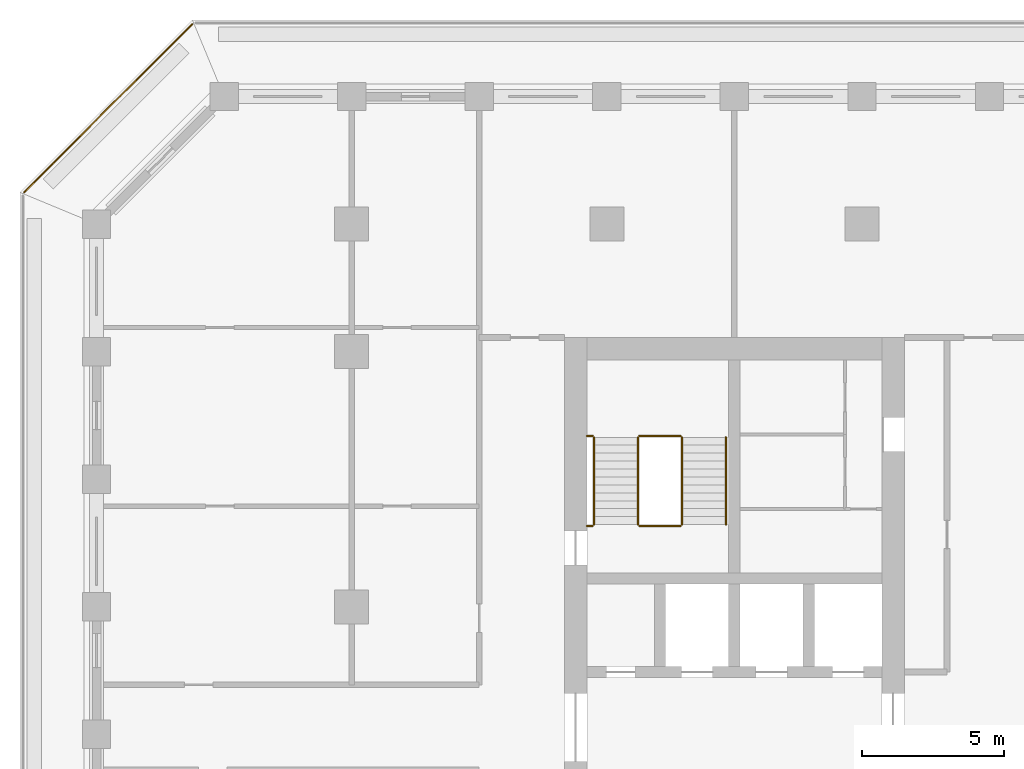
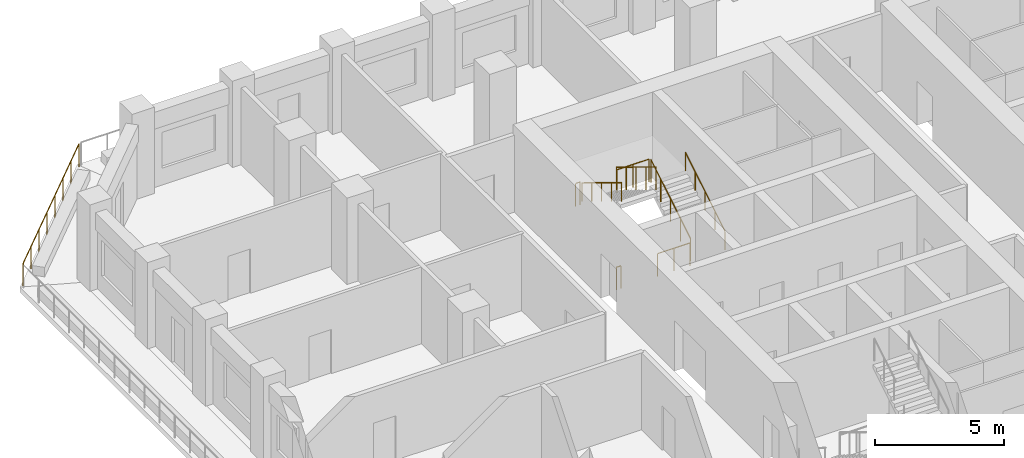
# One storey, part 13 of 16: 9 railings.
"""IFC4 building model written with IfcOpenShell, lengths in metres."""

import ifcopenshell
import ifcopenshell.guid

model = None  # the IFC model being written
_history = None  # IfcOwnerHistory: only IFC2X3 demands one
_inside = {}  # id of a spatial element -> (the spatial element, [elements in it])
_under = {}  # id of a project, library or spatial element -> (it, [spatial elements below it])
_declared = {}  # id of a project -> (the project, [libraries it declares])
_typed = {}  # id of a type object -> (the type object, [elements of that type])
_made_of = {}  # id of a material, layer set ... -> (it, [elements and type objects made of it])


def new_model(schema):
    """Start an empty IFC model of exactly this schema.

    Asked for "IFC4X3", IfcOpenShell would pick the latest addendum, in which some entities
    have other attributes; the version numbers below select the first issue.
    IFC2X3 requires an IfcOwnerHistory on every rooted entity: one is made here for all.
    """
    global model, _history
    if schema == "IFC4X3":
        model = ifcopenshell.file(schema_version=(4, 3, 0, 0))
    else:
        model = ifcopenshell.file(schema=schema)
    _inside.clear()
    _under.clear()
    _declared.clear()
    _typed.clear()
    _made_of.clear()
    _history = None
    if model.schema == "IFC2X3":
        org = make("IfcOrganization", Name="unknown")
        user = make(
            "IfcPersonAndOrganization",
            ThePerson=make("IfcPerson", FamilyName="unknown"),
            TheOrganization=org,
        )
        app = make(
            "IfcApplication",
            ApplicationDeveloper=org,
            Version="unknown",
            ApplicationFullName="unknown",
            ApplicationIdentifier="unknown",
        )
        _history = make(
            "IfcOwnerHistory",
            OwningUser=user,
            OwningApplication=app,
            ChangeAction="ADDED",
            CreationDate=0,
        )
    return model


def make(cls, **values):
    """One entity of the class cls with the attributes given. An attribute that is None is left unset."""
    return model.create_entity(
        cls, **{name: value for name, value in values.items() if value is not None}
    )


def rooted(cls, **values):
    """An entity with a GlobalId (a new one), such as an element, a storey or a relation."""
    return make(cls, GlobalId=ifcopenshell.guid.new(), OwnerHistory=_history, **values)


def si_unit(unit_type, name, prefix=None):
    """IfcSIUnit, for example si_unit("LENGTHUNIT", "METRE", prefix="MILLI")."""
    return make("IfcSIUnit", UnitType=unit_type, Prefix=prefix, Name=name)


def assignment(units):
    """IfcUnitAssignment: the units of a project."""
    return None if units is None else make("IfcUnitAssignment", Units=units)


def point(xyz):
    """IfcCartesianPoint."""
    return None if xyz is None else make("IfcCartesianPoint", Coordinates=xyz)


def direction(xyz):
    """IfcDirection."""
    return None if xyz is None else make("IfcDirection", DirectionRatios=xyz)


def frame(location, z_axis=None, x_axis=None):
    """IfcAxis2Placement3D, a coordinate frame: its origin and axes. An axis left out is left unset."""
    return make(
        "IfcAxis2Placement3D",
        Location=point(location),
        Axis=direction(z_axis),
        RefDirection=direction(x_axis),
    )


def frame_2d(location, x_axis=None):
    """IfcAxis2Placement2D, a coordinate frame in the plane: its origin and x axis."""
    return make(
        "IfcAxis2Placement2D", Location=point(location), RefDirection=direction(x_axis)
    )


def origin():
    """The frame at (0, 0, 0) with its axes left unset."""
    return frame((0.0, 0.0, 0.0))


def origin_2d():
    """The frame at (0, 0) in the plane with its x axis left unset."""
    return frame_2d((0.0, 0.0))


def place(relative_to, where):
    """IfcLocalPlacement: puts the frame where relative to a parent placement (None: the world)."""
    return make(
        "IfcLocalPlacement", PlacementRelTo=relative_to, RelativePlacement=where
    )


def context(
    kind, dimensions, precision=None, world=None, true_north=None, identifier=None
):
    """IfcGeometricRepresentationContext, for example the 3D "Model" context."""
    return make(
        "IfcGeometricRepresentationContext",
        ContextIdentifier=identifier,
        ContextType=kind,
        CoordinateSpaceDimension=dimensions,
        Precision=precision,
        WorldCoordinateSystem=world,
        TrueNorth=true_north,
    )


def subcontext(parent, identifier, kind, view, scale=None):
    """IfcGeometricRepresentationSubContext, for example "Body" below "Model"."""
    return make(
        "IfcGeometricRepresentationSubContext",
        ContextIdentifier=identifier,
        ContextType=kind,
        ParentContext=parent,
        TargetScale=scale,
        TargetView=view,
    )


def project(units=None, contexts=None):
    """IfcProject with its units and contexts."""
    return rooted(
        "IfcProject",
        Name="project",
        RepresentationContexts=contexts,
        UnitsInContext=assignment(units),
    )


def spatial(cls, under=None, at=None, **own):
    """A site, building, storey or space (cls), placed at a placement, below another one or the project."""
    s = rooted(cls, ObjectPlacement=at, **own)
    if under is not None:
        _under.setdefault(under.id(), (under, []))[1].append(s)
    return s


def profile(cls, at=None, kind="AREA", **sizes):
    """A parametric profile (cls). Its sizes go by their IFC names, for example OverallWidth=200.0."""
    return make(cls, ProfileType=kind, Position=at, **sizes)


def circle(**sizes):
    """IfcCircleProfileDef."""
    return profile("IfcCircleProfileDef", **sizes)


def extrude(swept, where, along, depth):
    """IfcExtrudedAreaSolid: the profile swept, set in the frame where, extruded along a direction by depth."""
    return make(
        "IfcExtrudedAreaSolid",
        SweptArea=swept,
        Position=where,
        ExtrudedDirection=direction(along),
        Depth=depth,
    )


def shape(context_of_items, identifier, shape_type, items):
    """IfcShapeRepresentation: the items that make up one representation, for example the "Body"."""
    return make(
        "IfcShapeRepresentation",
        ContextOfItems=context_of_items,
        RepresentationIdentifier=identifier,
        RepresentationType=shape_type,
        Items=items,
    )


def material(Name=None, Category=None):
    """IfcMaterial."""
    return make("IfcMaterial", Name=Name, Category=Category)


def made_of(thing, what):
    """Note that an element or type object is made of a material, layer set ...; save() writes the relation."""
    if what is not None:
        _made_of.setdefault(what.id(), (what, []))[1].append(thing)
    return thing


def type_object(cls, material=None, **own):
    """A type object (cls), such as IfcWallType, which elements share."""
    return made_of(rooted(cls, **own), material)


def element(
    cls,
    number,
    at=None,
    inside=None,
    cuts=None,
    type_object=None,
    material=None,
    context=None,
    identifier="Body",
    shape_type=None,
    held_by="IfcProductDefinitionShape",
    body=None,
    shapes=None,
    **own,
):
    """One element of the class cls, such as IfcWall. Its Tag is "e" and its number.

    at: its placement. inside: the storey or other place that contains it. cuts: it is an
    opening in that element (IfcRelVoidsElement). A single representation is given by context,
    identifier, shape_type and body (its items); several are given by shapes. held_by: the class
    of the entity that holds the representations. save() writes the other relations.
    """
    e = rooted(cls, Tag="e%d" % number, ObjectPlacement=at, **own)
    if body is not None:
        shapes = [shape(context, identifier, shape_type, body)]
    if shapes is not None:
        e.Representation = make(held_by, Representations=shapes)
    if inside is not None:
        _inside.setdefault(inside.id(), (inside, []))[1].append(e)
    if cuts is not None:
        rooted(
            "IfcRelVoidsElement", RelatingBuildingElement=cuts, RelatedOpeningElement=e
        )
    if type_object is not None:
        _typed.setdefault(type_object.id(), (type_object, []))[1].append(e)
    return made_of(e, material)


def aggregate(whole, parts):
    """IfcRelAggregates: a whole, such as a stair, and the parts it consists of."""
    return rooted("IfcRelAggregates", RelatingObject=whole, RelatedObjects=parts)


def save(model, path):
    """Write the relations noted so far, then the file.

    IfcRelAggregates (storeys below a building ...), IfcRelContainedInSpatialStructure (elements
    in a storey), IfcRelDefinesByType, IfcRelAssociatesMaterial and IfcRelDeclares: one each for
    every whole, place, type object, material and project.
    """
    for whole, parts in _under.values():
        aggregate(whole, parts)
    for where, things in _inside.values():
        rooted(
            "IfcRelContainedInSpatialStructure",
            RelatedElements=things,
            RelatingStructure=where,
        )
    for kind, things in _typed.values():
        rooted("IfcRelDefinesByType", RelatedObjects=things, RelatingType=kind)
    for what, things in _made_of.values():
        rooted("IfcRelAssociatesMaterial", RelatedObjects=things, RelatingMaterial=what)
    for by, libraries in _declared.values():
        rooted("IfcRelDeclares", RelatingContext=by, RelatedDefinitions=libraries)
    model.write(path)


model = new_model("IFC4")

# Units and contexts
model_context = context("Model", 3, precision=1e-05, world=origin(), true_north=direction((0.0, 1.0)))
body_context = subcontext(model_context, "Body", "Model", "MODEL_VIEW")
ifc_project = project(units=[si_unit("LENGTHUNIT", "METRE"), si_unit("AREAUNIT", "SQUARE_METRE"), si_unit("VOLUMEUNIT", "CUBIC_METRE"), si_unit("PLANEANGLEUNIT", "RADIAN"), si_unit("MASSUNIT", "GRAM", prefix="KILO")], contexts=[model_context])

# Site, building, storey
site_placement = place(None, origin())
site = spatial("IfcSite", under=ifc_project, at=site_placement, CompositionType="ELEMENT")
building_placement = place(site_placement, origin())
building = spatial("IfcBuilding", under=site, at=building_placement, Name="Corbel Stack Research Tower", CompositionType="ELEMENT")
storey_placement = place(building_placement, frame((0.0, 0.0, 177.300048828125)))
storey = spatial("IfcBuildingStorey", under=building, at=storey_placement, Name="L40", CompositionType="ELEMENT", Elevation=177.300048828125)

# Railings
ifc_material_1 = material(Name="Steel S355", Category="steel")
railing_type_1 = type_object("IfcRailingType", Name="Stair guard 1100", PredefinedType="GUARDRAIL", material=ifc_material_1)
railing_1_placement = place(storey_placement, frame((-6.35009765625, 11.89990234375, 0.1708984375)))
element("IfcRailing", 1, at=railing_1_placement, inside=storey, type_object=railing_type_1, Name="L40 ST-W2 stair guard 1", PredefinedType="GUARDRAIL", context=body_context, shape_type="SweptSolid", body=[
    extrude(circle(Radius=0.02392578125, at=origin_2d()), frame((0.0, 0.0, 1.076171875), z_axis=(0.0, 0.853666305674, 0.52082035152), x_axis=(-1.0, 0.0, 0.0)), (0.0, 0.0, 1.0), 3.608154296875),
    extrude(circle(Radius=0.02099609375, at=origin_2d()), origin(), (0.0, 0.0, 1.0), 1.052001953125),
    extrude(circle(Radius=0.02099609375, at=origin_2d()), frame((0.0, 0.77001953125, 0.4697265625)), (0.0, 0.0, 1.0), 1.052001953125),
    extrude(circle(Radius=0.02099609375, at=origin_2d()), frame((0.0, 1.5400390625, 0.939453125)), (0.0, 0.0, 1.0), 1.052001953125),
    extrude(circle(Radius=0.02099609375, at=origin_2d()), frame((0.0, 2.31005859375, 1.409423828125)), (0.0, 0.0, 1.0), 1.052001953125),
    extrude(circle(Radius=0.02099609375, at=origin_2d()), frame((0.0, 3.080078125, 1.879150390625)), (0.0, 0.0, 1.0), 1.052001953125),
])
railing_2_placement = place(storey_placement, frame((-6.39990234375, 15.030029296875, 2.050048828125)))
element("IfcRailing", 2, at=railing_2_placement, inside=storey, type_object=railing_type_1, Name="L40 ST-W2 stair guard 2", PredefinedType="GUARDRAIL", context=body_context, shape_type="SweptSolid", body=[
    extrude(circle(Radius=0.02392578125, at=origin_2d()), frame((0.0, 0.0, 1.076171875), z_axis=(-1.0, 0.0, 0.0), x_axis=(0.0, -1.0, 0.0)), (0.0, 0.0, 1.0), 1.4501953125),
    extrude(circle(Radius=0.02099609375, at=origin_2d()), origin(), (0.0, 0.0, 1.0), 1.052001953125),
    extrude(circle(Radius=0.02099609375, at=origin_2d()), frame((-0.72509765625, 0.0, 0.0)), (0.0, 0.0, 1.0), 1.052001953125),
    extrude(circle(Radius=0.02099609375, at=origin_2d()), frame((-1.4501953125, 0.0, 0.0)), (0.0, 0.0, 1.0), 1.052001953125),
])
railing_3_placement = place(storey_placement, frame((-9.5, 15.030029296875, 2.050048828125)))
element("IfcRailing", 3, at=railing_3_placement, inside=storey, type_object=railing_type_1, Name="L40 ST-W2 stair guard 3", PredefinedType="GUARDRAIL", context=body_context, shape_type="SweptSolid", body=[
    extrude(circle(Radius=0.02392578125, at=origin_2d()), frame((0.0, 0.0, 1.076171875), z_axis=(-1.0, 0.0, 0.0), x_axis=(0.0, -1.0, 0.0)), (0.0, 0.0, 1.0), 0.199951171875),
    extrude(circle(Radius=0.02099609375, at=origin_2d()), origin(), (0.0, 0.0, 1.0), 1.052001953125),
    extrude(circle(Radius=0.02099609375, at=origin_2d()), frame((-0.199951171875, 0.0, 0.0)), (0.0, 0.0, 1.0), 1.052001953125),
])
railing_4_placement = place(storey_placement, frame((-7.89990234375, 14.97998046875, 2.220703125)))
element("IfcRailing", 4, at=railing_4_placement, inside=storey, type_object=railing_type_1, Name="L40 ST-W2 stair guard 4", PredefinedType="GUARDRAIL", context=body_context, shape_type="SweptSolid", body=[
    extrude(circle(Radius=0.02392578125, at=origin_2d()), frame((0.0, 0.0, 1.076171875), z_axis=(0.0, -0.853666305674, 0.52082035152), x_axis=(1.0, 0.0, 0.0)), (0.0, 0.0, 1.0), 3.608154296875),
    extrude(circle(Radius=0.02099609375, at=origin_2d()), origin(), (0.0, 0.0, 1.0), 1.052001953125),
    extrude(circle(Radius=0.02099609375, at=origin_2d()), frame((0.0, -0.77001953125, 0.4697265625)), (0.0, 0.0, 1.0), 1.052001953125),
    extrude(circle(Radius=0.02099609375, at=origin_2d()), frame((0.0, -1.5400390625, 0.939453125)), (0.0, 0.0, 1.0), 1.052001953125),
    extrude(circle(Radius=0.02099609375, at=origin_2d()), frame((0.0, -2.31005859375, 1.409423828125)), (0.0, 0.0, 1.0), 1.052001953125),
    extrude(circle(Radius=0.02099609375, at=origin_2d()), frame((0.0, -3.080078125, 1.879150390625)), (0.0, 0.0, 1.0), 1.052001953125),
])
railing_5_placement = place(storey_placement, frame((-6.39990234375, 11.85009765625, 0.0)))
element("IfcRailing", 5, at=railing_5_placement, inside=storey, type_object=railing_type_1, Name="L40 ST-W2 stair guard 5", PredefinedType="GUARDRAIL", context=body_context, shape_type="SweptSolid", body=[
    extrude(circle(Radius=0.02392578125, at=origin_2d()), frame((0.0, 0.0, 1.076171875), z_axis=(-1.0, 0.0, 0.0), x_axis=(0.0, -1.0, 0.0)), (0.0, 0.0, 1.0), 1.4501953125),
    extrude(circle(Radius=0.02099609375, at=origin_2d()), origin(), (0.0, 0.0, 1.0), 1.052001953125),
    extrude(circle(Radius=0.02099609375, at=origin_2d()), frame((-0.72509765625, 0.0, 0.0)), (0.0, 0.0, 1.0), 1.052001953125),
    extrude(circle(Radius=0.02099609375, at=origin_2d()), frame((-1.4501953125, 0.0, 0.0)), (0.0, 0.0, 1.0), 1.052001953125),
])
railing_6_placement = place(storey_placement, frame((-9.5, 11.85009765625, 0.0)))
element("IfcRailing", 6, at=railing_6_placement, inside=storey, type_object=railing_type_1, Name="L40 ST-W2 stair guard 6", PredefinedType="GUARDRAIL", context=body_context, shape_type="SweptSolid", body=[
    extrude(circle(Radius=0.02392578125, at=origin_2d()), frame((0.0, 0.0, 1.076171875), z_axis=(-1.0, 0.0, 0.0), x_axis=(0.0, -1.0, 0.0)), (0.0, 0.0, 1.0), 0.199951171875),
    extrude(circle(Radius=0.02099609375, at=origin_2d()), origin(), (0.0, 0.0, 1.0), 1.052001953125),
    extrude(circle(Radius=0.02099609375, at=origin_2d()), frame((-0.199951171875, 0.0, 0.0)), (0.0, 0.0, 1.0), 1.052001953125),
])
ifc_material_2 = material(Name="Steel S355", Category="steel")
railing_type_2 = type_object("IfcRailingType", Name="Stair handrail 900", PredefinedType="HANDRAIL", material=ifc_material_2)
railing_7_placement = place(storey_placement, frame((-4.800048828125, 11.89990234375, 0.1708984375)))
element("IfcRailing", 7, at=railing_7_placement, inside=storey, type_object=railing_type_2, Name="L40 ST-W2 stair handrail 1", PredefinedType="HANDRAIL", context=body_context, shape_type="SweptSolid", body=[
    extrude(circle(Radius=0.02392578125, at=origin_2d()), frame((0.0, 0.0, 0.8759765625), z_axis=(0.0, 0.853666305674, 0.52082035152), x_axis=(-1.0, 0.0, 0.0)), (0.0, 0.0, 1.0), 3.608154296875),
    extrude(circle(Radius=0.02099609375, at=origin_2d()), origin(), (0.0, 0.0, 1.0), 0.851806640625),
    extrude(circle(Radius=0.02099609375, at=origin_2d()), frame((0.0, 0.77001953125, 0.4697265625)), (0.0, 0.0, 1.0), 0.851806640625),
    extrude(circle(Radius=0.02099609375, at=origin_2d()), frame((0.0, 1.5400390625, 0.939453125)), (0.0, 0.0, 1.0), 0.851806640625),
    extrude(circle(Radius=0.02099609375, at=origin_2d()), frame((0.0, 2.31005859375, 1.409423828125)), (0.0, 0.0, 1.0), 0.851806640625),
    extrude(circle(Radius=0.02099609375, at=origin_2d()), frame((0.0, 3.080078125, 1.879150390625)), (0.0, 0.0, 1.0), 0.851806640625),
])
railing_8_placement = place(storey_placement, frame((-9.449951171875, 14.97998046875, 2.220703125)))
element("IfcRailing", 8, at=railing_8_placement, inside=storey, type_object=railing_type_2, Name="L40 ST-W2 stair handrail 2", PredefinedType="HANDRAIL", context=body_context, shape_type="SweptSolid", body=[
    extrude(circle(Radius=0.02392578125, at=origin_2d()), frame((0.0, 0.0, 0.8759765625), z_axis=(0.0, -0.853666305674, 0.52082035152), x_axis=(1.0, 0.0, 0.0)), (0.0, 0.0, 1.0), 3.608154296875),
    extrude(circle(Radius=0.02099609375, at=origin_2d()), origin(), (0.0, 0.0, 1.0), 0.851806640625),
    extrude(circle(Radius=0.02099609375, at=origin_2d()), frame((0.0, -0.77001953125, 0.4697265625)), (0.0, 0.0, 1.0), 0.851806640625),
    extrude(circle(Radius=0.02099609375, at=origin_2d()), frame((0.0, -1.5400390625, 0.939453125)), (0.0, 0.0, 1.0), 0.851806640625),
    extrude(circle(Radius=0.02099609375, at=origin_2d()), frame((0.0, -2.31005859375, 1.409423828125)), (0.0, 0.0, 1.0), 0.851806640625),
    extrude(circle(Radius=0.02099609375, at=origin_2d()), frame((0.0, -3.080078125, 1.879150390625)), (0.0, 0.0, 1.0), 0.851806640625),
])
ifc_material_3 = material(Name="Powder-coated steel guard", Category="steel")
railing_type_3 = type_object("IfcRailingType", Name="Steel and glass guard 1100", PredefinedType="GUARDRAIL", material=ifc_material_3)
railing_9_placement = place(storey_placement, frame((-23.627685546875, 29.54931640625, 0.0)))
element("IfcRailing", 9, at=railing_9_placement, inside=storey, type_object=railing_type_3, Name="Loggia guard L40 NW", PredefinedType="GUARDRAIL", context=body_context, shape_type="SweptSolid", body=[
    extrude(circle(Radius=0.02392578125, at=origin_2d()), frame((0.0, 0.0, 1.076171875), z_axis=(-0.707106781187, -0.707106781187, 0.0), x_axis=(0.707106781187, -0.707106781187, 0.0)), (0.0, 0.0, 1.0), 8.37451171875),
    extrude(circle(Radius=0.02099609375, at=origin_2d()), origin(), (0.0, 0.0, 1.0), 1.052001953125),
    extrude(circle(Radius=0.02099609375, at=origin_2d()), frame((-0.845947265625, -0.845947265625, 0.0)), (0.0, 0.0, 1.0), 1.052001953125),
    extrude(circle(Radius=0.02099609375, at=origin_2d()), frame((-1.69189453125, -1.69189453125, 0.0)), (0.0, 0.0, 1.0), 1.052001953125),
    extrude(circle(Radius=0.02099609375, at=origin_2d()), frame((-2.537841796875, -2.537841796875, 0.0)), (0.0, 0.0, 1.0), 1.052001953125),
    extrude(circle(Radius=0.02099609375, at=origin_2d()), frame((-3.3837890625, -3.3837890625, 0.0)), (0.0, 0.0, 1.0), 1.052001953125),
    extrude(circle(Radius=0.02099609375, at=origin_2d()), frame((-4.229736328125, -4.229736328125, 0.0)), (0.0, 0.0, 1.0), 1.052001953125),
    extrude(circle(Radius=0.02099609375, at=origin_2d()), frame((-5.07568359375, -5.07568359375, 0.0)), (0.0, 0.0, 1.0), 1.052001953125),
    extrude(circle(Radius=0.02099609375, at=origin_2d()), frame((-5.921630859375, -5.921630859375, 0.0)), (0.0, 0.0, 1.0), 1.052001953125),
])

save(model, "model.ifc")
